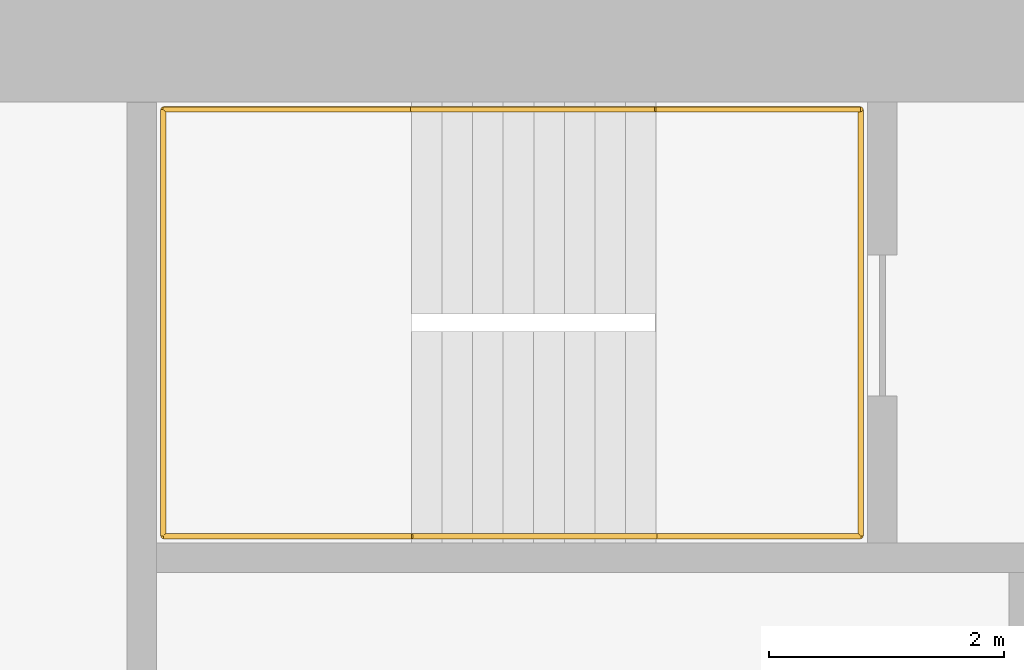
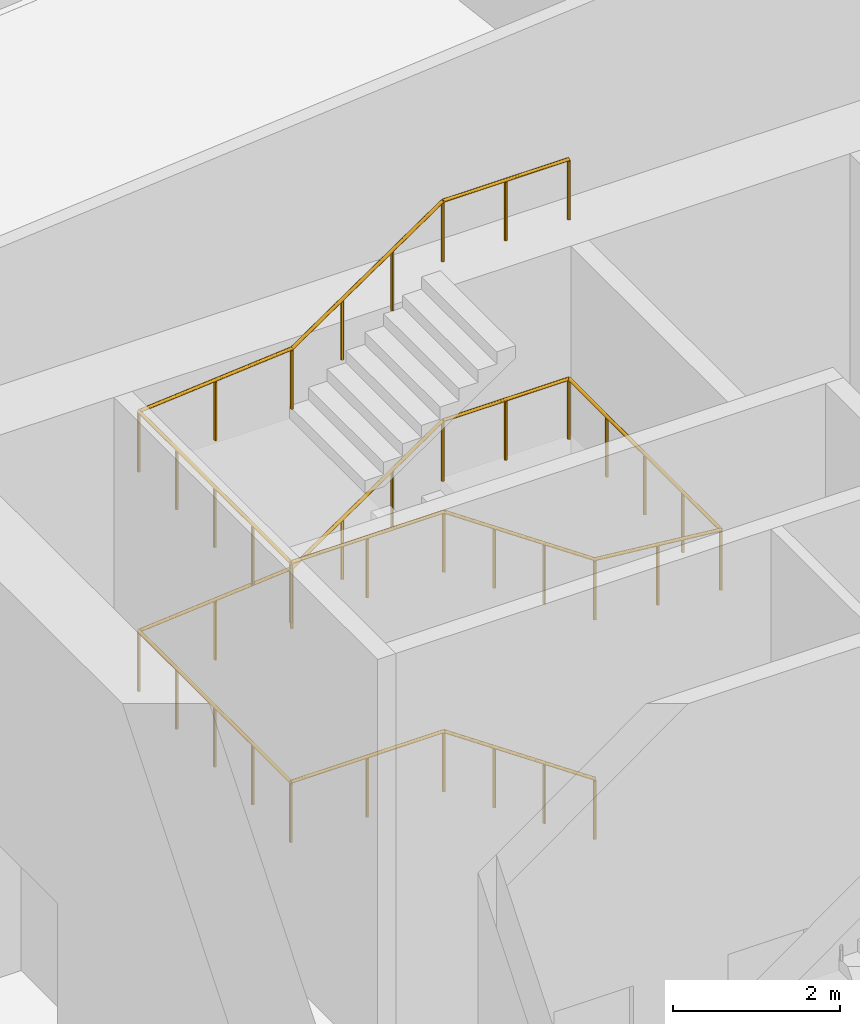
# One storey, part 34 of 42: 1 railing.
"""IFC4 building model written with IfcOpenShell, lengths in metres."""

import ifcopenshell
import ifcopenshell.guid

model = None  # the IFC model being written
_history = None  # IfcOwnerHistory: only IFC2X3 demands one
_inside = {}  # id of a spatial element -> (the spatial element, [elements in it])
_under = {}  # id of a project, library or spatial element -> (it, [spatial elements below it])
_declared = {}  # id of a project -> (the project, [libraries it declares])
_typed = {}  # id of a type object -> (the type object, [elements of that type])
_made_of = {}  # id of a material, layer set ... -> (it, [elements and type objects made of it])


def new_model(schema):
    """Start an empty IFC model of exactly this schema.

    Asked for "IFC4X3", IfcOpenShell would pick the latest addendum, in which some entities
    have other attributes; the version numbers below select the first issue.
    IFC2X3 requires an IfcOwnerHistory on every rooted entity: one is made here for all.
    """
    global model, _history
    if schema == "IFC4X3":
        model = ifcopenshell.file(schema_version=(4, 3, 0, 0))
    else:
        model = ifcopenshell.file(schema=schema)
    _inside.clear()
    _under.clear()
    _declared.clear()
    _typed.clear()
    _made_of.clear()
    _history = None
    if model.schema == "IFC2X3":
        org = make("IfcOrganization", Name="unknown")
        user = make(
            "IfcPersonAndOrganization",
            ThePerson=make("IfcPerson", FamilyName="unknown"),
            TheOrganization=org,
        )
        app = make(
            "IfcApplication",
            ApplicationDeveloper=org,
            Version="unknown",
            ApplicationFullName="unknown",
            ApplicationIdentifier="unknown",
        )
        _history = make(
            "IfcOwnerHistory",
            OwningUser=user,
            OwningApplication=app,
            ChangeAction="ADDED",
            CreationDate=0,
        )
    return model


def make(cls, **values):
    """One entity of the class cls with the attributes given. An attribute that is None is left unset."""
    return model.create_entity(
        cls, **{name: value for name, value in values.items() if value is not None}
    )


def rooted(cls, **values):
    """An entity with a GlobalId (a new one), such as an element, a storey or a relation."""
    return make(cls, GlobalId=ifcopenshell.guid.new(), OwnerHistory=_history, **values)


def si_unit(unit_type, name, prefix=None):
    """IfcSIUnit, for example si_unit("LENGTHUNIT", "METRE", prefix="MILLI")."""
    return make("IfcSIUnit", UnitType=unit_type, Prefix=prefix, Name=name)


def assignment(units):
    """IfcUnitAssignment: the units of a project."""
    return None if units is None else make("IfcUnitAssignment", Units=units)


def point(xyz):
    """IfcCartesianPoint."""
    return None if xyz is None else make("IfcCartesianPoint", Coordinates=xyz)


def direction(xyz):
    """IfcDirection."""
    return None if xyz is None else make("IfcDirection", DirectionRatios=xyz)


def frame(location, z_axis=None, x_axis=None):
    """IfcAxis2Placement3D, a coordinate frame: its origin and axes. An axis left out is left unset."""
    return make(
        "IfcAxis2Placement3D",
        Location=point(location),
        Axis=direction(z_axis),
        RefDirection=direction(x_axis),
    )


def frame_2d(location, x_axis=None):
    """IfcAxis2Placement2D, a coordinate frame in the plane: its origin and x axis."""
    return make(
        "IfcAxis2Placement2D", Location=point(location), RefDirection=direction(x_axis)
    )


def origin():
    """The frame at (0, 0, 0) with its axes left unset."""
    return frame((0.0, 0.0, 0.0))


def origin_2d():
    """The frame at (0, 0) in the plane with its x axis left unset."""
    return frame_2d((0.0, 0.0))


def place(relative_to, where):
    """IfcLocalPlacement: puts the frame where relative to a parent placement (None: the world)."""
    return make(
        "IfcLocalPlacement", PlacementRelTo=relative_to, RelativePlacement=where
    )


def context(
    kind, dimensions, precision=None, world=None, true_north=None, identifier=None
):
    """IfcGeometricRepresentationContext, for example the 3D "Model" context."""
    return make(
        "IfcGeometricRepresentationContext",
        ContextIdentifier=identifier,
        ContextType=kind,
        CoordinateSpaceDimension=dimensions,
        Precision=precision,
        WorldCoordinateSystem=world,
        TrueNorth=true_north,
    )


def subcontext(parent, identifier, kind, view, scale=None):
    """IfcGeometricRepresentationSubContext, for example "Body" below "Model"."""
    return make(
        "IfcGeometricRepresentationSubContext",
        ContextIdentifier=identifier,
        ContextType=kind,
        ParentContext=parent,
        TargetScale=scale,
        TargetView=view,
    )


def project(units=None, contexts=None):
    """IfcProject with its units and contexts."""
    return rooted(
        "IfcProject",
        Name="project",
        RepresentationContexts=contexts,
        UnitsInContext=assignment(units),
    )


def spatial(cls, under=None, at=None, **own):
    """A site, building, storey or space (cls), placed at a placement, below another one or the project."""
    s = rooted(cls, ObjectPlacement=at, **own)
    if under is not None:
        _under.setdefault(under.id(), (under, []))[1].append(s)
    return s


def profile(cls, at=None, kind="AREA", **sizes):
    """A parametric profile (cls). Its sizes go by their IFC names, for example OverallWidth=200.0."""
    return make(cls, ProfileType=kind, Position=at, **sizes)


def circle(**sizes):
    """IfcCircleProfileDef."""
    return profile("IfcCircleProfileDef", **sizes)


def extrude(swept, where, along, depth):
    """IfcExtrudedAreaSolid: the profile swept, set in the frame where, extruded along a direction by depth."""
    return make(
        "IfcExtrudedAreaSolid",
        SweptArea=swept,
        Position=where,
        ExtrudedDirection=direction(along),
        Depth=depth,
    )


def shape(context_of_items, identifier, shape_type, items):
    """IfcShapeRepresentation: the items that make up one representation, for example the "Body"."""
    return make(
        "IfcShapeRepresentation",
        ContextOfItems=context_of_items,
        RepresentationIdentifier=identifier,
        RepresentationType=shape_type,
        Items=items,
    )


def material(Name=None, Category=None):
    """IfcMaterial."""
    return make("IfcMaterial", Name=Name, Category=Category)


def made_of(thing, what):
    """Note that an element or type object is made of a material, layer set ...; save() writes the relation."""
    if what is not None:
        _made_of.setdefault(what.id(), (what, []))[1].append(thing)
    return thing


def type_object(cls, material=None, **own):
    """A type object (cls), such as IfcWallType, which elements share."""
    return made_of(rooted(cls, **own), material)


def element(
    cls,
    number,
    at=None,
    inside=None,
    cuts=None,
    type_object=None,
    material=None,
    context=None,
    identifier="Body",
    shape_type=None,
    held_by="IfcProductDefinitionShape",
    body=None,
    shapes=None,
    **own,
):
    """One element of the class cls, such as IfcWall. Its Tag is "e" and its number.

    at: its placement. inside: the storey or other place that contains it. cuts: it is an
    opening in that element (IfcRelVoidsElement). A single representation is given by context,
    identifier, shape_type and body (its items); several are given by shapes. held_by: the class
    of the entity that holds the representations. save() writes the other relations.
    """
    e = rooted(cls, Tag="e%d" % number, ObjectPlacement=at, **own)
    if body is not None:
        shapes = [shape(context, identifier, shape_type, body)]
    if shapes is not None:
        e.Representation = make(held_by, Representations=shapes)
    if inside is not None:
        _inside.setdefault(inside.id(), (inside, []))[1].append(e)
    if cuts is not None:
        rooted(
            "IfcRelVoidsElement", RelatingBuildingElement=cuts, RelatedOpeningElement=e
        )
    if type_object is not None:
        _typed.setdefault(type_object.id(), (type_object, []))[1].append(e)
    return made_of(e, material)


def aggregate(whole, parts):
    """IfcRelAggregates: a whole, such as a stair, and the parts it consists of."""
    return rooted("IfcRelAggregates", RelatingObject=whole, RelatedObjects=parts)


def save(model, path):
    """Write the relations noted so far, then the file.

    IfcRelAggregates (storeys below a building ...), IfcRelContainedInSpatialStructure (elements
    in a storey), IfcRelDefinesByType, IfcRelAssociatesMaterial and IfcRelDeclares: one each for
    every whole, place, type object, material and project.
    """
    for whole, parts in _under.values():
        aggregate(whole, parts)
    for where, things in _inside.values():
        rooted(
            "IfcRelContainedInSpatialStructure",
            RelatedElements=things,
            RelatingStructure=where,
        )
    for kind, things in _typed.values():
        rooted("IfcRelDefinesByType", RelatedObjects=things, RelatingType=kind)
    for what, things in _made_of.values():
        rooted("IfcRelAssociatesMaterial", RelatedObjects=things, RelatingMaterial=what)
    for by, libraries in _declared.values():
        rooted("IfcRelDeclares", RelatingContext=by, RelatedDefinitions=libraries)
    model.write(path)


model = new_model("IFC4")

# Units and contexts
model_context = context("Model", 3, precision=1e-05, world=origin(), true_north=direction((0.0, 1.0)))
body_context = subcontext(model_context, "Body", "Model", "MODEL_VIEW")
ifc_project = project(units=[si_unit("LENGTHUNIT", "METRE"), si_unit("AREAUNIT", "SQUARE_METRE"), si_unit("VOLUMEUNIT", "CUBIC_METRE"), si_unit("PLANEANGLEUNIT", "RADIAN"), si_unit("MASSUNIT", "GRAM", prefix="KILO")], contexts=[model_context])

# Site, building, storey
site_placement = place(None, origin())
site = spatial("IfcSite", under=ifc_project, at=site_placement, CompositionType="ELEMENT")
building_placement = place(site_placement, origin())
building = spatial("IfcBuilding", under=site, at=building_placement, Name="Hakoniwa Tower and Hamabe Station Hall", CompositionType="ELEMENT")
storey_placement = place(building_placement, frame((0.0, 0.0, 232.60009765625)))
storey = spatial("IfcBuildingStorey", under=building, at=storey_placement, Name="L66", CompositionType="ELEMENT", Elevation=232.60009765625)

# Railing
ifc_material = material(Name="Stainless steel SUS304", Category="steel")
railing_type = type_object("IfcRailingType", Name="STAIR HANDRAIL 900", PredefinedType="HANDRAIL", material=ifc_material)
railing_placement = place(storey_placement, frame((24.39990234375, 3.81005859375, 0.177734375)))
element("IfcRailing", 1, at=railing_placement, inside=storey, type_object=railing_type, Name="Handrail ST-3 L66 1", PredefinedType="HANDRAIL", context=body_context, shape_type="SweptSolid", body=[
    extrude(circle(Radius=0.02392578125, at=origin_2d()), frame((0.0, 0.0, 0.8759765625), z_axis=(-0.825478349766, 0.0, 0.564433781827), x_axis=(0.0, -1.0, 0.0)), (0.0, 0.0, 1.0), 2.51953125),
    extrude(circle(Radius=0.02392578125, at=origin_2d()), frame((-2.079833984375, 0.0, 2.2978515625), z_axis=(-1.0, 0.0, 0.0), x_axis=(0.0, -1.0, 0.0)), (0.0, 0.0, 1.0), 2.110107421875),
    extrude(circle(Radius=0.02392578125, at=origin_2d()), frame((-4.18994140625, 0.0, 2.2978515625), z_axis=(0.0, 1.0, 0.0), x_axis=(-1.0, 0.0, 0.0)), (0.0, 0.0, 1.0), 3.6298828125),
    extrude(circle(Radius=0.02392578125, at=origin_2d()), frame((-4.18994140625, 3.6298828125, 2.2978515625), z_axis=(0.996471417081, 0.0, 0.083932800143), x_axis=(0.0, 1.0, 0.0)), (0.0, 0.0, 1.0), 2.11767578125),
    extrude(circle(Radius=0.02392578125, at=origin_2d()), frame((-2.079833984375, 3.6298828125, 2.4755859375), z_axis=(0.825433201882, 0.0, 0.564499804456), x_axis=(0.0, 1.0, 0.0)), (0.0, 0.0, 1.0), 2.519775390625),
    extrude(circle(Radius=0.02392578125, at=origin_2d()), frame((0.0, 3.6298828125, 3.89794921875), z_axis=(1.0, 0.0, 0.0), x_axis=(0.0, 1.0, 0.0)), (0.0, 0.0, 1.0), 1.739990234375),
    extrude(circle(Radius=0.02392578125, at=origin_2d()), frame((1.739990234375, 3.6298828125, 3.89794921875), z_axis=(0.0, -1.0, 0.0), x_axis=(1.0, 0.0, 0.0)), (0.0, 0.0, 1.0), 3.6298828125),
    extrude(circle(Radius=0.02392578125, at=origin_2d()), frame((1.739990234375, 0.0, 3.89794921875), z_axis=(-0.994823492686, 0.0, 0.10161800234), x_axis=(0.0, -1.0, 0.0)), (0.0, 0.0, 1.0), 1.7490234375),
    extrude(circle(Radius=0.02392578125, at=origin_2d()), frame((0.0, 0.0, 4.07568359375), z_axis=(-0.825478349766, 0.0, 0.564433781827), x_axis=(0.0, -1.0, 0.0)), (0.0, 0.0, 1.0), 2.51953125),
    extrude(circle(Radius=0.02392578125, at=origin_2d()), frame((-2.079833984375, 0.0, 5.498046875), z_axis=(-1.0, 0.0, 0.0), x_axis=(0.0, -1.0, 0.0)), (0.0, 0.0, 1.0), 2.110107421875),
    extrude(circle(Radius=0.02392578125, at=origin_2d()), frame((-4.18994140625, 0.0, 5.498046875), z_axis=(0.0, 1.0, 0.0), x_axis=(-1.0, 0.0, 0.0)), (0.0, 0.0, 1.0), 3.6298828125),
    extrude(circle(Radius=0.02392578125, at=origin_2d()), frame((-4.18994140625, 3.6298828125, 5.498046875), z_axis=(0.996461767938, 0.0, 0.084047278587), x_axis=(0.0, 1.0, 0.0)), (0.0, 0.0, 1.0), 2.11767578125),
    extrude(circle(Radius=0.02392578125, at=origin_2d()), frame((-2.079833984375, 3.6298828125, 5.67578125), z_axis=(0.825478349766, 0.0, 0.564433781827), x_axis=(0.0, 1.0, 0.0)), (0.0, 0.0, 1.0), 2.51953125),
    extrude(circle(Radius=0.02392578125, at=origin_2d()), frame((0.0, 3.6298828125, 7.09814453125), z_axis=(1.0, 0.0, 0.0), x_axis=(0.0, 1.0, 0.0)), (0.0, 0.0, 1.0), 1.739990234375),
    extrude(circle(Radius=0.02099609375, at=origin_2d()), origin(), (0.0, 0.0, 1.0), 0.851806640625),
    extrude(circle(Radius=0.02099609375, at=origin_2d()), frame((-0.693359375, 0.0, 0.47412109375)), (0.0, 0.0, 1.0), 0.851806640625),
    extrude(circle(Radius=0.02099609375, at=origin_2d()), frame((-1.386474609375, 0.0, 0.947998046875)), (0.0, 0.0, 1.0), 0.851806640625),
    extrude(circle(Radius=0.02099609375, at=origin_2d()), frame((-2.079833984375, 0.0, 1.422119140625)), (0.0, 0.0, 1.0), 0.851806640625),
    extrude(circle(Radius=0.02099609375, at=origin_2d()), frame((-3.134765625, 0.0, 1.422119140625)), (0.0, 0.0, 1.0), 0.851806640625),
    extrude(circle(Radius=0.02099609375, at=origin_2d()), frame((-4.18994140625, 0.0, 1.422119140625)), (0.0, 0.0, 1.0), 0.851806640625),
    extrude(circle(Radius=0.02099609375, at=origin_2d()), frame((-4.18994140625, 0.907470703125, 1.422119140625)), (0.0, 0.0, 1.0), 0.851806640625),
    extrude(circle(Radius=0.02099609375, at=origin_2d()), frame((-4.18994140625, 1.81494140625, 1.422119140625)), (0.0, 0.0, 1.0), 0.851806640625),
    extrude(circle(Radius=0.02099609375, at=origin_2d()), frame((-4.18994140625, 2.722412109375, 1.422119140625)), (0.0, 0.0, 1.0), 0.851806640625),
    extrude(circle(Radius=0.02099609375, at=origin_2d()), frame((-4.18994140625, 3.6298828125, 1.422119140625)), (0.0, 0.0, 1.0), 0.851806640625),
    extrude(circle(Radius=0.02099609375, at=origin_2d()), frame((-3.134765625, 3.6298828125, 1.510986328125)), (0.0, 0.0, 1.0), 0.851806640625),
    extrude(circle(Radius=0.02099609375, at=origin_2d()), frame((-2.079833984375, 3.6298828125, 1.599853515625)), (0.0, 0.0, 1.0), 0.851806640625),
    extrude(circle(Radius=0.02099609375, at=origin_2d()), frame((-1.386474609375, 3.6298828125, 2.073974609375)), (0.0, 0.0, 1.0), 0.851806640625),
    extrude(circle(Radius=0.02099609375, at=origin_2d()), frame((-0.693359375, 3.6298828125, 2.548095703125)), (0.0, 0.0, 1.0), 0.851806640625),
    extrude(circle(Radius=0.02099609375, at=origin_2d()), frame((0.0, 3.6298828125, 3.022216796875)), (0.0, 0.0, 1.0), 0.851806640625),
    extrude(circle(Radius=0.02099609375, at=origin_2d()), frame((0.8701171875, 3.6298828125, 3.022216796875)), (0.0, 0.0, 1.0), 0.851806640625),
    extrude(circle(Radius=0.02099609375, at=origin_2d()), frame((1.739990234375, 3.6298828125, 3.022216796875)), (0.0, 0.0, 1.0), 0.851806640625),
    extrude(circle(Radius=0.02099609375, at=origin_2d()), frame((1.739990234375, 2.722412109375, 3.022216796875)), (0.0, 0.0, 1.0), 0.851806640625),
    extrude(circle(Radius=0.02099609375, at=origin_2d()), frame((1.739990234375, 1.81494140625, 3.022216796875)), (0.0, 0.0, 1.0), 0.851806640625),
    extrude(circle(Radius=0.02099609375, at=origin_2d()), frame((1.739990234375, 0.907470703125, 3.022216796875)), (0.0, 0.0, 1.0), 0.851806640625),
    extrude(circle(Radius=0.02099609375, at=origin_2d()), frame((1.739990234375, 0.0, 3.022216796875)), (0.0, 0.0, 1.0), 0.851806640625),
    extrude(circle(Radius=0.02099609375, at=origin_2d()), frame((0.8701171875, 0.0, 3.111083984375)), (0.0, 0.0, 1.0), 0.851806640625),
    extrude(circle(Radius=0.02099609375, at=origin_2d()), frame((0.0, 0.0, 3.199951171875)), (0.0, 0.0, 1.0), 0.851806640625),
    extrude(circle(Radius=0.02099609375, at=origin_2d()), frame((-0.693359375, 0.0, 3.674072265625)), (0.0, 0.0, 1.0), 0.851806640625),
    extrude(circle(Radius=0.02099609375, at=origin_2d()), frame((-1.386474609375, 0.0, 4.14794921875)), (0.0, 0.0, 1.0), 0.851806640625),
    extrude(circle(Radius=0.02099609375, at=origin_2d()), frame((-2.079833984375, 0.0, 4.6220703125)), (0.0, 0.0, 1.0), 0.851806640625),
    extrude(circle(Radius=0.02099609375, at=origin_2d()), frame((-3.134765625, 0.0, 4.6220703125)), (0.0, 0.0, 1.0), 0.851806640625),
    extrude(circle(Radius=0.02099609375, at=origin_2d()), frame((-4.18994140625, 0.0, 4.6220703125)), (0.0, 0.0, 1.0), 0.851806640625),
    extrude(circle(Radius=0.02099609375, at=origin_2d()), frame((-4.18994140625, 0.907470703125, 4.6220703125)), (0.0, 0.0, 1.0), 0.851806640625),
    extrude(circle(Radius=0.02099609375, at=origin_2d()), frame((-4.18994140625, 1.81494140625, 4.6220703125)), (0.0, 0.0, 1.0), 0.851806640625),
    extrude(circle(Radius=0.02099609375, at=origin_2d()), frame((-4.18994140625, 2.722412109375, 4.6220703125)), (0.0, 0.0, 1.0), 0.851806640625),
    extrude(circle(Radius=0.02099609375, at=origin_2d()), frame((-4.18994140625, 3.6298828125, 4.6220703125)), (0.0, 0.0, 1.0), 0.851806640625),
    extrude(circle(Radius=0.02099609375, at=origin_2d()), frame((-3.134765625, 3.6298828125, 4.7109375)), (0.0, 0.0, 1.0), 0.851806640625),
    extrude(circle(Radius=0.02099609375, at=origin_2d()), frame((-2.079833984375, 3.6298828125, 4.800048828125)), (0.0, 0.0, 1.0), 0.851806640625),
    extrude(circle(Radius=0.02099609375, at=origin_2d()), frame((-1.386474609375, 3.6298828125, 5.274169921875)), (0.0, 0.0, 1.0), 0.851806640625),
    extrude(circle(Radius=0.02099609375, at=origin_2d()), frame((-0.693359375, 3.6298828125, 5.748046875)), (0.0, 0.0, 1.0), 0.851806640625),
    extrude(circle(Radius=0.02099609375, at=origin_2d()), frame((0.0, 3.6298828125, 6.22216796875)), (0.0, 0.0, 1.0), 0.851806640625),
    extrude(circle(Radius=0.02099609375, at=origin_2d()), frame((0.8701171875, 3.6298828125, 6.22216796875)), (0.0, 0.0, 1.0), 0.851806640625),
    extrude(circle(Radius=0.02099609375, at=origin_2d()), frame((1.739990234375, 3.6298828125, 6.22216796875)), (0.0, 0.0, 1.0), 0.851806640625),
])

save(model, "model.ifc")
